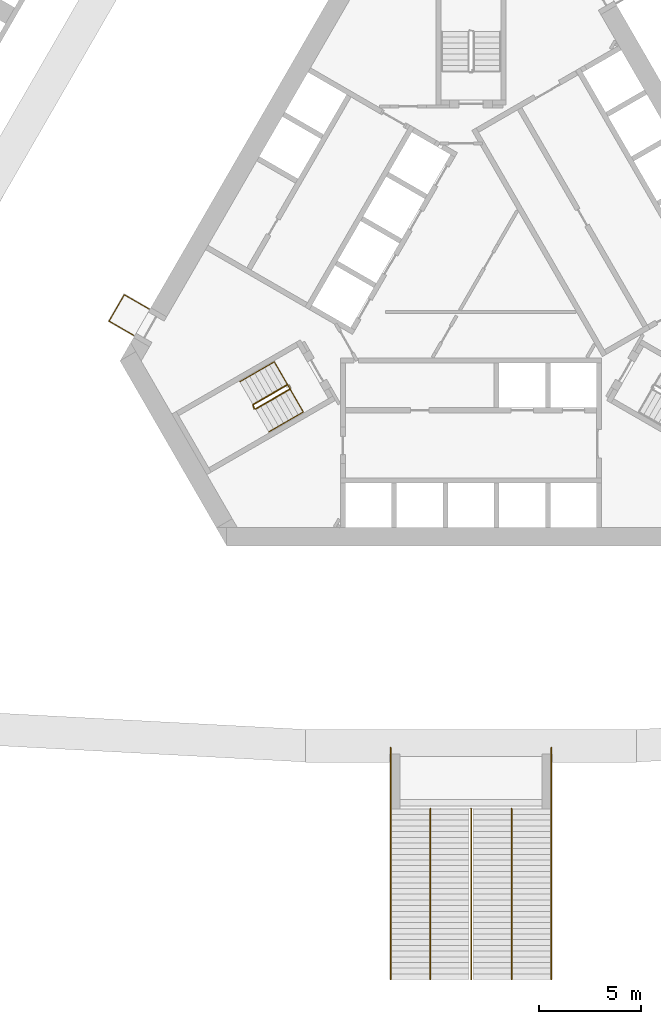
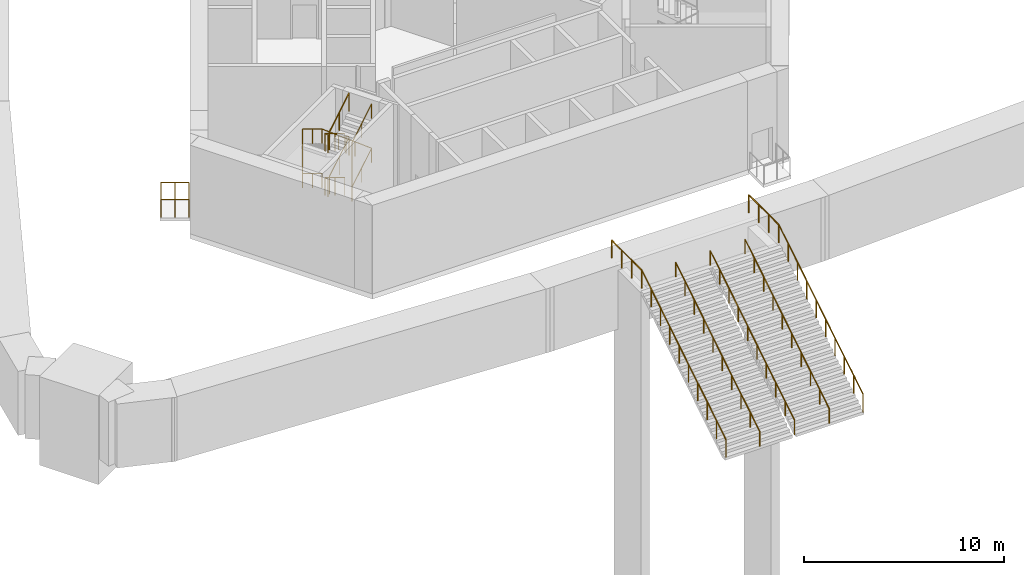
# One storey, part 33 of 37: 11 railings.
"""IFC4 building model written with IfcOpenShell, lengths in metres."""

from ifc_helpers import new_model, si_unit, direction, frame, origin, origin_2d, place, context, subcontext, project, spatial, circle, extrude, material, type_object, element, save


model = new_model("IFC4")

# Units and contexts
model_context = context("Model", 3, precision=1e-05, world=origin(), true_north=direction((0.0, 1.0)))
body_context = subcontext(model_context, "Body", "Model", "MODEL_VIEW")
ifc_project = project(units=[si_unit("LENGTHUNIT", "METRE"), si_unit("AREAUNIT", "SQUARE_METRE"), si_unit("VOLUMEUNIT", "CUBIC_METRE"), si_unit("PLANEANGLEUNIT", "RADIAN"), si_unit("MASSUNIT", "GRAM", prefix="KILO")], contexts=[model_context])

# Site, building, storey
site_placement = place(None, origin())
site = spatial("IfcSite", under=ifc_project, at=site_placement, CompositionType="ELEMENT")
building_placement = place(site_placement, origin())
building = spatial("IfcBuilding", under=site, at=building_placement, Name="Mestral Congress Tower", CompositionType="ELEMENT")
storey_placement = place(building_placement, frame((0.0, 0.0, 16.199951171875)))
storey = spatial("IfcBuildingStorey", under=building, at=storey_placement, Name="L03", CompositionType="ELEMENT", Elevation=16.199951171875)

# Railings
ifc_material_1 = material(Name="Steel balustrade", Category="steel")
railing_type_1 = type_object("IfcRailingType", Name="Podium broad stair guard 1100", PredefinedType="GUARDRAIL", material=ifc_material_1)
railing_1_placement = place(storey_placement, frame((-3.949951171875, -34.327880859375, 0.17431640625)))
element("IfcRailing", 1, at=railing_1_placement, inside=storey, type_object=railing_type_1, Name="Broad stair guard west", PredefinedType="GUARDRAIL", context=body_context, shape_type="SweptSolid", body=[
    extrude(circle(Radius=0.02392578125, at=origin_2d()), frame((0.0, 0.0, 1.076171875), z_axis=(0.0, 0.849091779214, 0.528245350639), x_axis=(-1.0, 0.0, 0.0)), (0.0, 0.0, 1.0), 9.892822265625),
    extrude(circle(Radius=0.02392578125, at=origin_2d()), frame((0.0, 8.39990234375, 6.3017578125), z_axis=(0.0, 1.0, 0.0), x_axis=(-1.0, 0.0, 0.0)), (0.0, 0.0, 1.0), 3.0),
    extrude(circle(Radius=0.02099609375, at=origin_2d()), origin(), (0.0, 0.0, 1.0), 1.052001953125),
    extrude(circle(Radius=0.02099609375, at=origin_2d()), frame((0.0, 0.933349609375, 0.58056640625)), (0.0, 0.0, 1.0), 1.052001953125),
    extrude(circle(Radius=0.02099609375, at=origin_2d()), frame((0.0, 1.86669921875, 1.161376953125)), (0.0, 0.0, 1.0), 1.052001953125),
    extrude(circle(Radius=0.02099609375, at=origin_2d()), frame((0.0, 2.800048828125, 1.741943359375)), (0.0, 0.0, 1.0), 1.052001953125),
    extrude(circle(Radius=0.02099609375, at=origin_2d()), frame((0.0, 3.7333984375, 2.322509765625)), (0.0, 0.0, 1.0), 1.052001953125),
    extrude(circle(Radius=0.02099609375, at=origin_2d()), frame((0.0, 4.66650390625, 2.9033203125)), (0.0, 0.0, 1.0), 1.052001953125),
    extrude(circle(Radius=0.02099609375, at=origin_2d()), frame((0.0, 5.599853515625, 3.48388671875)), (0.0, 0.0, 1.0), 1.052001953125),
    extrude(circle(Radius=0.02099609375, at=origin_2d()), frame((0.0, 6.533203125, 4.064453125)), (0.0, 0.0, 1.0), 1.052001953125),
    extrude(circle(Radius=0.02099609375, at=origin_2d()), frame((0.0, 7.466552734375, 4.645263671875)), (0.0, 0.0, 1.0), 1.052001953125),
    extrude(circle(Radius=0.02099609375, at=origin_2d()), frame((0.0, 8.39990234375, 5.225830078125)), (0.0, 0.0, 1.0), 1.052001953125),
    extrude(circle(Radius=0.02099609375, at=origin_2d()), frame((0.0, 9.39990234375, 5.225830078125)), (0.0, 0.0, 1.0), 1.052001953125),
    extrude(circle(Radius=0.02099609375, at=origin_2d()), frame((0.0, 10.39990234375, 5.225830078125)), (0.0, 0.0, 1.0), 1.052001953125),
    extrude(circle(Radius=0.02099609375, at=origin_2d()), frame((0.0, 11.39990234375, 5.225830078125)), (0.0, 0.0, 1.0), 1.052001953125),
])
railing_2_placement = place(storey_placement, frame((3.949951171875, -34.327880859375, 0.17431640625)))
element("IfcRailing", 2, at=railing_2_placement, inside=storey, type_object=railing_type_1, Name="Broad stair guard east", PredefinedType="GUARDRAIL", context=body_context, shape_type="SweptSolid", body=[
    extrude(circle(Radius=0.02392578125, at=origin_2d()), frame((0.0, 0.0, 1.076171875), z_axis=(0.0, 0.849091779214, 0.528245350639), x_axis=(-1.0, 0.0, 0.0)), (0.0, 0.0, 1.0), 9.892822265625),
    extrude(circle(Radius=0.02392578125, at=origin_2d()), frame((0.0, 8.39990234375, 6.3017578125), z_axis=(0.0, 1.0, 0.0), x_axis=(-1.0, 0.0, 0.0)), (0.0, 0.0, 1.0), 3.0),
    extrude(circle(Radius=0.02099609375, at=origin_2d()), origin(), (0.0, 0.0, 1.0), 1.052001953125),
    extrude(circle(Radius=0.02099609375, at=origin_2d()), frame((0.0, 0.933349609375, 0.58056640625)), (0.0, 0.0, 1.0), 1.052001953125),
    extrude(circle(Radius=0.02099609375, at=origin_2d()), frame((0.0, 1.86669921875, 1.161376953125)), (0.0, 0.0, 1.0), 1.052001953125),
    extrude(circle(Radius=0.02099609375, at=origin_2d()), frame((0.0, 2.800048828125, 1.741943359375)), (0.0, 0.0, 1.0), 1.052001953125),
    extrude(circle(Radius=0.02099609375, at=origin_2d()), frame((0.0, 3.7333984375, 2.322509765625)), (0.0, 0.0, 1.0), 1.052001953125),
    extrude(circle(Radius=0.02099609375, at=origin_2d()), frame((0.0, 4.66650390625, 2.9033203125)), (0.0, 0.0, 1.0), 1.052001953125),
    extrude(circle(Radius=0.02099609375, at=origin_2d()), frame((0.0, 5.599853515625, 3.48388671875)), (0.0, 0.0, 1.0), 1.052001953125),
    extrude(circle(Radius=0.02099609375, at=origin_2d()), frame((0.0, 6.533203125, 4.064453125)), (0.0, 0.0, 1.0), 1.052001953125),
    extrude(circle(Radius=0.02099609375, at=origin_2d()), frame((0.0, 7.466552734375, 4.645263671875)), (0.0, 0.0, 1.0), 1.052001953125),
    extrude(circle(Radius=0.02099609375, at=origin_2d()), frame((0.0, 8.39990234375, 5.225830078125)), (0.0, 0.0, 1.0), 1.052001953125),
    extrude(circle(Radius=0.02099609375, at=origin_2d()), frame((0.0, 9.39990234375, 5.225830078125)), (0.0, 0.0, 1.0), 1.052001953125),
    extrude(circle(Radius=0.02099609375, at=origin_2d()), frame((0.0, 10.39990234375, 5.225830078125)), (0.0, 0.0, 1.0), 1.052001953125),
    extrude(circle(Radius=0.02099609375, at=origin_2d()), frame((0.0, 11.39990234375, 5.225830078125)), (0.0, 0.0, 1.0), 1.052001953125),
])
ifc_material_2 = material(Name="Steel handrail", Category="steel")
railing_type_2 = type_object("IfcRailingType", Name="Podium broad stair handrail 900", PredefinedType="HANDRAIL", material=ifc_material_2)
for number, where, name in (
    (3, (-2.0, -34.327880859375, 0.17431640625), "Broad stair handrail"),
    (4, (0.0, -34.327880859375, 0.17431640625), "Broad stair handrail"),
    (5, (2.0, -34.327880859375, 0.17431640625), "Broad stair handrail"),
):
    element("IfcRailing", number, at=place(storey_placement, frame(where)), inside=storey, type_object=railing_type_2, Name=name, PredefinedType="HANDRAIL", context=body_context, shape_type="SweptSolid", body=[
        extrude(circle(Radius=0.02392578125, at=origin_2d()), frame((0.0, 0.0, 0.8759765625), z_axis=(0.0, 0.849091779214, 0.528245350639), x_axis=(-1.0, 0.0, 0.0)), (0.0, 0.0, 1.0), 9.892822265625),
        extrude(circle(Radius=0.02099609375, at=origin_2d()), origin(), (0.0, 0.0, 1.0), 0.851806640625),
        extrude(circle(Radius=0.02099609375, at=origin_2d()), frame((0.0, 0.933349609375, 0.58056640625)), (0.0, 0.0, 1.0), 0.851806640625),
        extrude(circle(Radius=0.02099609375, at=origin_2d()), frame((0.0, 1.86669921875, 1.161376953125)), (0.0, 0.0, 1.0), 0.851806640625),
        extrude(circle(Radius=0.02099609375, at=origin_2d()), frame((0.0, 2.800048828125, 1.741943359375)), (0.0, 0.0, 1.0), 0.851806640625),
        extrude(circle(Radius=0.02099609375, at=origin_2d()), frame((0.0, 3.7333984375, 2.322509765625)), (0.0, 0.0, 1.0), 0.851806640625),
        extrude(circle(Radius=0.02099609375, at=origin_2d()), frame((0.0, 4.66650390625, 2.9033203125)), (0.0, 0.0, 1.0), 0.851806640625),
        extrude(circle(Radius=0.02099609375, at=origin_2d()), frame((0.0, 5.599853515625, 3.48388671875)), (0.0, 0.0, 1.0), 0.851806640625),
        extrude(circle(Radius=0.02099609375, at=origin_2d()), frame((0.0, 6.533203125, 4.064453125)), (0.0, 0.0, 1.0), 0.851806640625),
        extrude(circle(Radius=0.02099609375, at=origin_2d()), frame((0.0, 7.466552734375, 4.645263671875)), (0.0, 0.0, 1.0), 0.851806640625),
        extrude(circle(Radius=0.02099609375, at=origin_2d()), frame((0.0, 8.39990234375, 5.225830078125)), (0.0, 0.0, 1.0), 0.851806640625),
    ])
railing_type_3 = type_object("IfcRailingType", Name="Podium door landing guard 1100", PredefinedType="GUARDRAIL", material=ifc_material_1)
railing_3_placement = place(storey_placement, frame((-15.842529296875, -1.340087890625, 0.0)))
element("IfcRailing", 6, at=railing_3_placement, inside=storey, type_object=railing_type_3, Name="Door landing guard", PredefinedType="GUARDRAIL", context=body_context, shape_type="SweptSolid", body=[
    extrude(circle(Radius=0.02392578125, at=origin_2d()), frame((0.0, 0.0, 1.076171875), z_axis=(-0.865959057869, 0.500114896893, 0.0), x_axis=(-0.500114896893, -0.865959057869, 0.0)), (0.0, 0.0, 1.0), 1.400146484375),
    extrude(circle(Radius=0.02392578125, at=origin_2d()), frame((-1.21240234375, 0.7001953125, 1.076171875), z_axis=(-0.499919672301, -0.866071776036, 0.0), x_axis=(0.866071776036, -0.499919672301, 0.0)), (0.0, 0.0, 1.0), 1.500244140625),
    extrude(circle(Radius=0.02392578125, at=origin_2d()), frame((-1.96240234375, -0.59912109375, 1.076171875), z_axis=(0.866034573852, -0.49998411664, 0.0), x_axis=(0.49998411664, 0.866034573852, 0.0)), (0.0, 0.0, 1.0), 1.39990234375),
    extrude(circle(Radius=0.02099609375, at=origin_2d()), origin(), (0.0, 0.0, 1.0), 1.052001953125),
    extrude(circle(Radius=0.02099609375, at=origin_2d()), frame((-0.606201171875, 0.35009765625, 0.0)), (0.0, 0.0, 1.0), 1.052001953125),
    extrude(circle(Radius=0.02099609375, at=origin_2d()), frame((-1.21240234375, 0.7001953125, 0.0)), (0.0, 0.0, 1.0), 1.052001953125),
    extrude(circle(Radius=0.02099609375, at=origin_2d()), frame((-1.58740234375, 0.050537109375, 0.0)), (0.0, 0.0, 1.0), 1.052001953125),
    extrude(circle(Radius=0.02099609375, at=origin_2d()), frame((-1.96240234375, -0.59912109375, 0.0)), (0.0, 0.0, 1.0), 1.052001953125),
    extrude(circle(Radius=0.02099609375, at=origin_2d()), frame((-1.356201171875, -0.94921875, 0.0)), (0.0, 0.0, 1.0), 1.052001953125),
    extrude(circle(Radius=0.02099609375, at=origin_2d()), frame((-0.75, -1.299072265625, 0.0)), (0.0, 0.0, 1.0), 1.052001953125),
])
railing_type_4 = type_object("IfcRailingType", Name="Stair guard 1100", PredefinedType="GUARDRAIL", material=ifc_material_1)
railing_4_placement = place(storey_placement, frame((-9.02587890625, -5.066650390625, 0.168701171875)))
element("IfcRailing", 7, at=railing_4_placement, inside=storey, type_object=railing_type_4, Name="L03 ST3 stair guard 1", PredefinedType="GUARDRAIL", context=body_context, shape_type="SweptSolid", body=[
    extrude(circle(Radius=0.02392578125, at=origin_2d()), frame((0.0, 0.0, 1.076171875), z_axis=(-0.741730552229, -0.428204578836, 0.516213741153), x_axis=(0.499970440388, -0.866042469362, 0.0)), (0.0, 0.0, 1.0), 2.28857421875),
    extrude(circle(Radius=0.02392578125, at=origin_2d()), frame((-1.697509765625, -0.97998046875, 2.25732421875), z_axis=(0.275815366736, -0.96121063429, 0.0), x_axis=(0.96121063429, 0.275815366736, 0.0)), (0.0, 0.0, 1.0), 0.206298828125),
    extrude(circle(Radius=0.02099609375, at=origin_2d()), origin(), (0.0, 0.0, 1.0), 1.052001953125),
    extrude(circle(Radius=0.02099609375, at=origin_2d()), frame((-0.8486328125, -0.489990234375, 0.5908203125)), (0.0, 0.0, 1.0), 1.052001953125),
    extrude(circle(Radius=0.02099609375, at=origin_2d()), frame((-1.697509765625, -0.97998046875, 1.181396484375)), (0.0, 0.0, 1.0), 1.052001953125),
    extrude(circle(Radius=0.02099609375, at=origin_2d()), frame((-1.640625, -1.17822265625, 1.181396484375)), (0.0, 0.0, 1.0), 1.052001953125),
])
railing_5_placement = place(storey_placement, frame((-10.598388671875, -6.26318359375, 1.518798828125)))
element("IfcRailing", 8, at=railing_5_placement, inside=storey, type_object=railing_type_4, Name="L03 ST3 stair guard 2", PredefinedType="GUARDRAIL", context=body_context, shape_type="SweptSolid", body=[
    extrude(circle(Radius=0.02392578125, at=origin_2d()), frame((0.0, 0.0, 1.076171875), z_axis=(0.741771397394, 0.428228158944, 0.516135484049), x_axis=(-0.499970440388, 0.866042469362, 0.0)), (0.0, 0.0, 1.0), 2.28857421875),
    extrude(circle(Radius=0.02392578125, at=origin_2d()), frame((1.697509765625, 0.97998046875, 2.25732421875), z_axis=(0.258736085224, 0.965948051503, 0.0), x_axis=(-0.965948051503, 0.258736085224, 0.0)), (0.0, 0.0, 1.0), 0.07080078125),
    extrude(circle(Radius=0.02392578125, at=origin_2d()), frame((1.7158203125, 1.04833984375, 2.25732421875), z_axis=(-0.499816412211, 0.866131372301, 0.0), x_axis=(-0.866131372301, -0.499816412211, 0.0)), (0.0, 0.0, 1.0), 0.14990234375),
    extrude(circle(Radius=0.02099609375, at=origin_2d()), origin(), (0.0, 0.0, 1.0), 1.052001953125),
    extrude(circle(Radius=0.02099609375, at=origin_2d()), frame((0.8486328125, 0.489990234375, 0.590576171875)), (0.0, 0.0, 1.0), 1.052001953125),
    extrude(circle(Radius=0.02099609375, at=origin_2d()), frame((1.697509765625, 0.97998046875, 1.18115234375)), (0.0, 0.0, 1.0), 1.052001953125),
    extrude(circle(Radius=0.02099609375, at=origin_2d()), frame((1.7158203125, 1.04833984375, 1.18115234375)), (0.0, 0.0, 1.0), 1.052001953125),
    extrude(circle(Radius=0.02099609375, at=origin_2d()), frame((1.640869140625, 1.17822265625, 1.18115234375)), (0.0, 0.0, 1.0), 1.052001953125),
])
railing_6_placement = place(storey_placement, frame((-9.02587890625, -5.066650390625, 2.868896484375)))
element("IfcRailing", 9, at=railing_6_placement, inside=storey, type_object=railing_type_4, Name="L03 ST3 stair guard 3", PredefinedType="GUARDRAIL", context=body_context, shape_type="SweptSolid", body=[
    extrude(circle(Radius=0.02392578125, at=origin_2d()), frame((0.0, 0.0, 1.076171875), z_axis=(-0.741771397394, -0.428228158944, 0.516135484049), x_axis=(0.499970440388, -0.866042469362, 0.0)), (0.0, 0.0, 1.0), 2.28857421875),
    extrude(circle(Radius=0.02392578125, at=origin_2d()), frame((-1.697509765625, -0.97998046875, 2.25732421875), z_axis=(0.275815366736, -0.96121063429, 0.0), x_axis=(0.96121063429, 0.275815366736, 0.0)), (0.0, 0.0, 1.0), 0.206298828125),
    extrude(circle(Radius=0.02099609375, at=origin_2d()), origin(), (0.0, 0.0, 1.0), 1.052001953125),
    extrude(circle(Radius=0.02099609375, at=origin_2d()), frame((-0.8486328125, -0.489990234375, 0.590576171875)), (0.0, 0.0, 1.0), 1.052001953125),
    extrude(circle(Radius=0.02099609375, at=origin_2d()), frame((-1.697509765625, -0.97998046875, 1.18115234375)), (0.0, 0.0, 1.0), 1.052001953125),
    extrude(circle(Radius=0.02099609375, at=origin_2d()), frame((-1.640625, -1.17822265625, 1.18115234375)), (0.0, 0.0, 1.0), 1.052001953125),
])
railing_7_placement = place(storey_placement, frame((-10.598388671875, -6.26318359375, 4.21875)))
element("IfcRailing", 10, at=railing_7_placement, inside=storey, type_object=railing_type_4, Name="L03 ST3 stair guard 4", PredefinedType="GUARDRAIL", context=body_context, shape_type="SweptSolid", body=[
    extrude(circle(Radius=0.02392578125, at=origin_2d()), frame((0.0, 0.0, 1.076171875), z_axis=(0.741730552229, 0.428204578836, 0.516213741153), x_axis=(-0.499970440388, 0.866042469362, 0.0)), (0.0, 0.0, 1.0), 2.28857421875),
    extrude(circle(Radius=0.02099609375, at=origin_2d()), origin(), (0.0, 0.0, 1.0), 1.052001953125),
    extrude(circle(Radius=0.02099609375, at=origin_2d()), frame((0.8486328125, 0.489990234375, 0.5908203125)), (0.0, 0.0, 1.0), 1.052001953125),
    extrude(circle(Radius=0.02099609375, at=origin_2d()), frame((1.697509765625, 0.97998046875, 1.181396484375)), (0.0, 0.0, 1.0), 1.052001953125),
])
railing_type_5 = type_object("IfcRailingType", Name="Stair handrail 900", PredefinedType="HANDRAIL", material=ifc_material_2)
railing_8_placement = place(storey_placement, frame((-9.67578125, -3.94091796875, 0.168701171875)))
element("IfcRailing", 11, at=railing_8_placement, inside=storey, type_object=railing_type_5, Name="L03 ST3 stair handrail 1", PredefinedType="HANDRAIL", context=body_context, shape_type="SweptSolid", body=[
    extrude(circle(Radius=0.02392578125, at=origin_2d()), frame((0.0, 0.0, 0.8759765625), z_axis=(-0.741730552229, -0.428204578836, 0.516213741153), x_axis=(0.499970440388, -0.866042469362, 0.0)), (0.0, 0.0, 1.0), 2.28857421875),
    extrude(circle(Radius=0.02392578125, at=origin_2d()), frame((-1.697509765625, -0.97998046875, 2.05712890625), z_axis=(0.0, 0.0, 1.0), x_axis=(1.0, 0.0, 0.0)), (0.0, 0.0, 1.0), 2.699951171875),
    extrude(circle(Radius=0.02392578125, at=origin_2d()), frame((-1.697509765625, -0.97998046875, 4.75732421875), z_axis=(0.741771397394, 0.428228158944, -0.516135484049), x_axis=(-0.499970440388, 0.866042469362, 0.0)), (0.0, 0.0, 1.0), 2.28857421875),
    extrude(circle(Radius=0.02392578125, at=origin_2d()), frame((0.0, 0.0, 3.576171875), z_axis=(0.499058937937, -0.86454521291, -0.059175597165), x_axis=(0.866062911188, 0.499935029643, 0.0)), (0.0, 0.0, 1.0), 2.85498046875),
    extrude(circle(Radius=0.02392578125, at=origin_2d()), frame((1.4248046875, -2.46826171875, 3.4072265625), z_axis=(-0.74172340804, -0.428262048313, -0.516176330279), x_axis=(0.500024377727, -0.866011328839, 0.0)), (0.0, 0.0, 1.0), 2.288330078125),
    extrude(circle(Radius=0.02392578125, at=origin_2d()), frame((-0.2724609375, -3.4482421875, 2.22607421875), z_axis=(0.0, 0.0, 1.0), x_axis=(1.0, 0.0, 0.0)), (0.0, 0.0, 1.0), 2.699951171875),
    extrude(circle(Radius=0.02392578125, at=origin_2d()), frame((-0.2724609375, -3.4482421875, 4.92578125), z_axis=(0.741682559053, 0.428238462606, 0.516254589076), x_axis=(-0.500024377727, 0.866011328839, 0.0)), (0.0, 0.0, 1.0), 2.288330078125),
    extrude(circle(Radius=0.02099609375, at=origin_2d()), origin(), (0.0, 0.0, 1.0), 0.851806640625),
    extrude(circle(Radius=0.02099609375, at=origin_2d()), frame((-0.8486328125, -0.489990234375, 0.5908203125)), (0.0, 0.0, 1.0), 0.851806640625),
    extrude(circle(Radius=0.02099609375, at=origin_2d()), frame((-1.697509765625, -0.97998046875, 1.181396484375)), (0.0, 0.0, 1.0), 0.851806640625),
    extrude(circle(Radius=0.02099609375, at=origin_2d()), frame((-1.697509765625, -0.97998046875, 2.081298828125)), (0.0, 0.0, 1.0), 0.851806640625),
    extrude(circle(Radius=0.02099609375, at=origin_2d()), frame((-1.697509765625, -0.97998046875, 2.9814453125)), (0.0, 0.0, 1.0), 0.851806640625),
    extrude(circle(Radius=0.02099609375, at=origin_2d()), frame((-1.697509765625, -0.97998046875, 3.88134765625)), (0.0, 0.0, 1.0), 0.851806640625),
    extrude(circle(Radius=0.02099609375, at=origin_2d()), frame((-0.8486328125, -0.489990234375, 3.290771484375)), (0.0, 0.0, 1.0), 0.851806640625),
    extrude(circle(Radius=0.02099609375, at=origin_2d()), frame((0.0, 0.0, 2.7001953125)), (0.0, 0.0, 1.0), 0.851806640625),
    extrude(circle(Radius=0.02099609375, at=origin_2d()), frame((0.474853515625, -0.82275390625, 2.643798828125)), (0.0, 0.0, 1.0), 0.851806640625),
    extrude(circle(Radius=0.02099609375, at=origin_2d()), frame((0.949951171875, -1.6455078125, 2.587646484375)), (0.0, 0.0, 1.0), 0.851806640625),
    extrude(circle(Radius=0.02099609375, at=origin_2d()), frame((1.4248046875, -2.46826171875, 2.53125)), (0.0, 0.0, 1.0), 0.851806640625),
    extrude(circle(Radius=0.02099609375, at=origin_2d()), frame((0.576171875, -2.958251953125, 1.940673828125)), (0.0, 0.0, 1.0), 0.851806640625),
    extrude(circle(Radius=0.02099609375, at=origin_2d()), frame((-0.2724609375, -3.4482421875, 1.35009765625)), (0.0, 0.0, 1.0), 0.851806640625),
    extrude(circle(Radius=0.02099609375, at=origin_2d()), frame((-0.2724609375, -3.4482421875, 2.25)), (0.0, 0.0, 1.0), 0.851806640625),
    extrude(circle(Radius=0.02099609375, at=origin_2d()), frame((-0.2724609375, -3.4482421875, 3.150146484375)), (0.0, 0.0, 1.0), 0.851806640625),
    extrude(circle(Radius=0.02099609375, at=origin_2d()), frame((-0.2724609375, -3.4482421875, 4.050048828125)), (0.0, 0.0, 1.0), 0.851806640625),
    extrude(circle(Radius=0.02099609375, at=origin_2d()), frame((0.576171875, -2.958251953125, 4.640625)), (0.0, 0.0, 1.0), 0.851806640625),
    extrude(circle(Radius=0.02099609375, at=origin_2d()), frame((1.4248046875, -2.46826171875, 5.2314453125)), (0.0, 0.0, 1.0), 0.851806640625),
])

save(model, "model.ifc")
